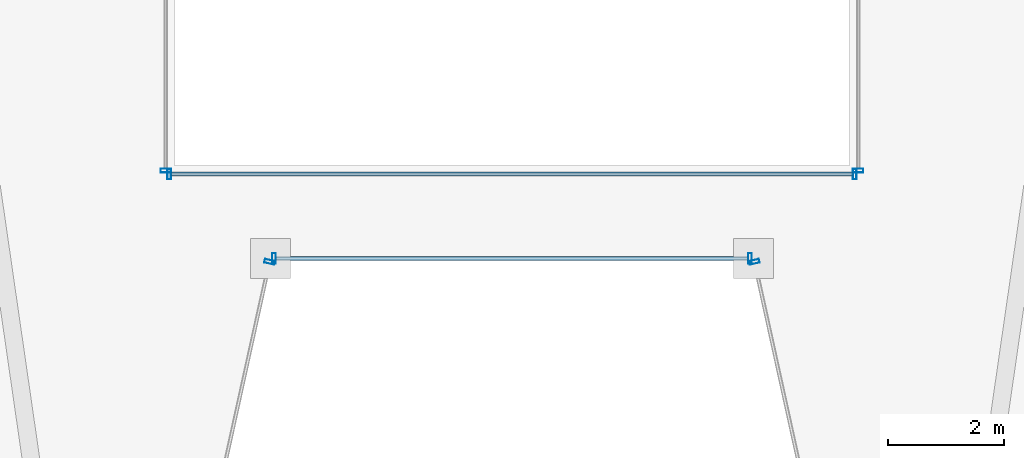
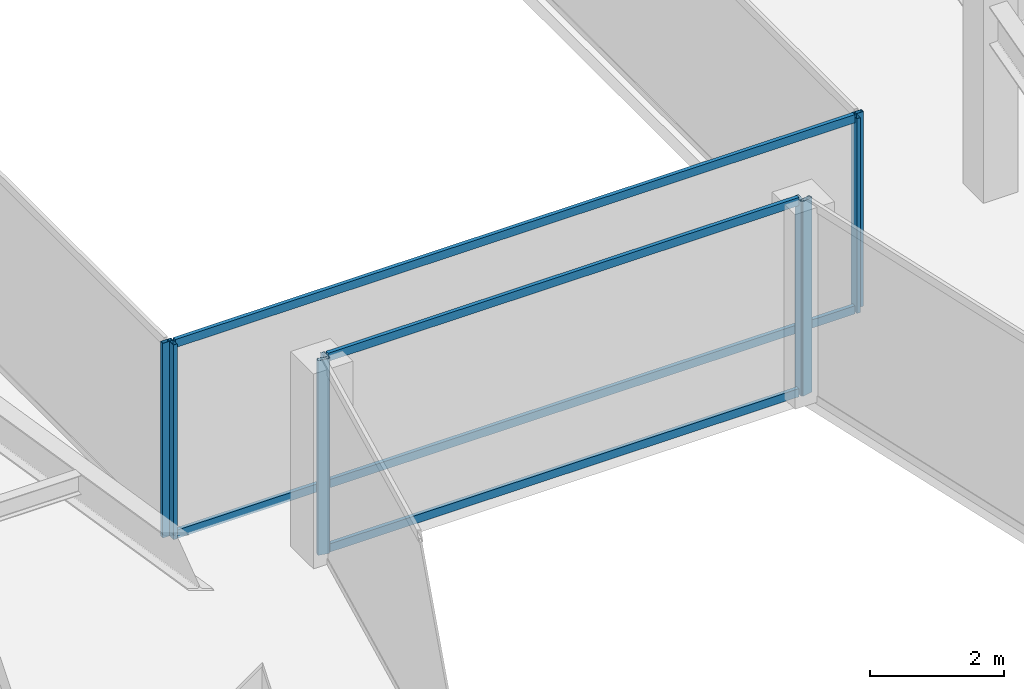
# One storey, part 7 of 37: 12 members, 6 elements without a shape of their own.
"""IFC4 building model written with IfcOpenShell, lengths in metres."""

import ifcopenshell
import ifcopenshell.guid

model = None  # the IFC model being written
_history = None  # IfcOwnerHistory: only IFC2X3 demands one
_inside = {}  # id of a spatial element -> (the spatial element, [elements in it])
_under = {}  # id of a project, library or spatial element -> (it, [spatial elements below it])
_declared = {}  # id of a project -> (the project, [libraries it declares])
_typed = {}  # id of a type object -> (the type object, [elements of that type])
_made_of = {}  # id of a material, layer set ... -> (it, [elements and type objects made of it])


def new_model(schema):
    """Start an empty IFC model of exactly this schema.

    Asked for "IFC4X3", IfcOpenShell would pick the latest addendum, in which some entities
    have other attributes; the version numbers below select the first issue.
    IFC2X3 requires an IfcOwnerHistory on every rooted entity: one is made here for all.
    """
    global model, _history
    if schema == "IFC4X3":
        model = ifcopenshell.file(schema_version=(4, 3, 0, 0))
    else:
        model = ifcopenshell.file(schema=schema)
    _inside.clear()
    _under.clear()
    _declared.clear()
    _typed.clear()
    _made_of.clear()
    _history = None
    if model.schema == "IFC2X3":
        org = make("IfcOrganization", Name="unknown")
        user = make(
            "IfcPersonAndOrganization",
            ThePerson=make("IfcPerson", FamilyName="unknown"),
            TheOrganization=org,
        )
        app = make(
            "IfcApplication",
            ApplicationDeveloper=org,
            Version="unknown",
            ApplicationFullName="unknown",
            ApplicationIdentifier="unknown",
        )
        _history = make(
            "IfcOwnerHistory",
            OwningUser=user,
            OwningApplication=app,
            ChangeAction="ADDED",
            CreationDate=0,
        )
    return model


def make(cls, **values):
    """One entity of the class cls with the attributes given. An attribute that is None is left unset."""
    return model.create_entity(
        cls, **{name: value for name, value in values.items() if value is not None}
    )


def rooted(cls, **values):
    """An entity with a GlobalId (a new one), such as an element, a storey or a relation."""
    return make(cls, GlobalId=ifcopenshell.guid.new(), OwnerHistory=_history, **values)


def si_unit(unit_type, name, prefix=None):
    """IfcSIUnit, for example si_unit("LENGTHUNIT", "METRE", prefix="MILLI")."""
    return make("IfcSIUnit", UnitType=unit_type, Prefix=prefix, Name=name)


def assignment(units):
    """IfcUnitAssignment: the units of a project."""
    return None if units is None else make("IfcUnitAssignment", Units=units)


def point(xyz):
    """IfcCartesianPoint."""
    return None if xyz is None else make("IfcCartesianPoint", Coordinates=xyz)


def direction(xyz):
    """IfcDirection."""
    return None if xyz is None else make("IfcDirection", DirectionRatios=xyz)


def frame(location, z_axis=None, x_axis=None):
    """IfcAxis2Placement3D, a coordinate frame: its origin and axes. An axis left out is left unset."""
    return make(
        "IfcAxis2Placement3D",
        Location=point(location),
        Axis=direction(z_axis),
        RefDirection=direction(x_axis),
    )


def frame_2d(location, x_axis=None):
    """IfcAxis2Placement2D, a coordinate frame in the plane: its origin and x axis."""
    return make(
        "IfcAxis2Placement2D", Location=point(location), RefDirection=direction(x_axis)
    )


def origin():
    """The frame at (0, 0, 0) with its axes left unset."""
    return frame((0.0, 0.0, 0.0))


def origin_2d():
    """The frame at (0, 0) in the plane with its x axis left unset."""
    return frame_2d((0.0, 0.0))


def place(relative_to, where):
    """IfcLocalPlacement: puts the frame where relative to a parent placement (None: the world)."""
    return make(
        "IfcLocalPlacement", PlacementRelTo=relative_to, RelativePlacement=where
    )


def context(
    kind, dimensions, precision=None, world=None, true_north=None, identifier=None
):
    """IfcGeometricRepresentationContext, for example the 3D "Model" context."""
    return make(
        "IfcGeometricRepresentationContext",
        ContextIdentifier=identifier,
        ContextType=kind,
        CoordinateSpaceDimension=dimensions,
        Precision=precision,
        WorldCoordinateSystem=world,
        TrueNorth=true_north,
    )


def subcontext(parent, identifier, kind, view, scale=None):
    """IfcGeometricRepresentationSubContext, for example "Body" below "Model"."""
    return make(
        "IfcGeometricRepresentationSubContext",
        ContextIdentifier=identifier,
        ContextType=kind,
        ParentContext=parent,
        TargetScale=scale,
        TargetView=view,
    )


def project(units=None, contexts=None):
    """IfcProject with its units and contexts."""
    return rooted(
        "IfcProject",
        Name="project",
        RepresentationContexts=contexts,
        UnitsInContext=assignment(units),
    )


def spatial(cls, under=None, at=None, **own):
    """A site, building, storey or space (cls), placed at a placement, below another one or the project."""
    s = rooted(cls, ObjectPlacement=at, **own)
    if under is not None:
        _under.setdefault(under.id(), (under, []))[1].append(s)
    return s


def profile(cls, at=None, kind="AREA", **sizes):
    """A parametric profile (cls). Its sizes go by their IFC names, for example OverallWidth=200.0."""
    return make(cls, ProfileType=kind, Position=at, **sizes)


def hollow_rectangle(**sizes):
    """IfcRectangleHollowProfileDef."""
    return profile("IfcRectangleHollowProfileDef", **sizes)


def extrude(swept, where, along, depth):
    """IfcExtrudedAreaSolid: the profile swept, set in the frame where, extruded along a direction by depth."""
    return make(
        "IfcExtrudedAreaSolid",
        SweptArea=swept,
        Position=where,
        ExtrudedDirection=direction(along),
        Depth=depth,
    )


def shape(context_of_items, identifier, shape_type, items):
    """IfcShapeRepresentation: the items that make up one representation, for example the "Body"."""
    return make(
        "IfcShapeRepresentation",
        ContextOfItems=context_of_items,
        RepresentationIdentifier=identifier,
        RepresentationType=shape_type,
        Items=items,
    )


def material(Name=None, Category=None):
    """IfcMaterial."""
    return make("IfcMaterial", Name=Name, Category=Category)


def material_profile(
    of_material, cross_section, Name=None, Category=None, Priority=None
):
    """IfcMaterialProfile: a cross section and its material."""
    return make(
        "IfcMaterialProfile",
        Name=Name,
        Material=of_material,
        Profile=cross_section,
        Priority=Priority,
        Category=Category,
    )


def profile_set(profiles, Name=None, composite=None):
    """IfcMaterialProfileSet."""
    return make(
        "IfcMaterialProfileSet",
        Name=Name,
        MaterialProfiles=profiles,
        CompositeProfile=composite,
    )


def made_of(thing, what):
    """Note that an element or type object is made of a material, layer set ...; save() writes the relation."""
    if what is not None:
        _made_of.setdefault(what.id(), (what, []))[1].append(thing)
    return thing


def type_object(cls, material=None, **own):
    """A type object (cls), such as IfcWallType, which elements share."""
    return made_of(rooted(cls, **own), material)


def element(
    cls,
    number,
    at=None,
    inside=None,
    cuts=None,
    type_object=None,
    material=None,
    context=None,
    identifier="Body",
    shape_type=None,
    held_by="IfcProductDefinitionShape",
    body=None,
    shapes=None,
    **own,
):
    """One element of the class cls, such as IfcWall. Its Tag is "e" and its number.

    at: its placement. inside: the storey or other place that contains it. cuts: it is an
    opening in that element (IfcRelVoidsElement). A single representation is given by context,
    identifier, shape_type and body (its items); several are given by shapes. held_by: the class
    of the entity that holds the representations. save() writes the other relations.
    """
    e = rooted(cls, Tag="e%d" % number, ObjectPlacement=at, **own)
    if body is not None:
        shapes = [shape(context, identifier, shape_type, body)]
    if shapes is not None:
        e.Representation = make(held_by, Representations=shapes)
    if inside is not None:
        _inside.setdefault(inside.id(), (inside, []))[1].append(e)
    if cuts is not None:
        rooted(
            "IfcRelVoidsElement", RelatingBuildingElement=cuts, RelatedOpeningElement=e
        )
    if type_object is not None:
        _typed.setdefault(type_object.id(), (type_object, []))[1].append(e)
    return made_of(e, material)


def aggregate(whole, parts):
    """IfcRelAggregates: a whole, such as a stair, and the parts it consists of."""
    return rooted("IfcRelAggregates", RelatingObject=whole, RelatedObjects=parts)


def save(model, path):
    """Write the relations noted so far, then the file.

    IfcRelAggregates (storeys below a building ...), IfcRelContainedInSpatialStructure (elements
    in a storey), IfcRelDefinesByType, IfcRelAssociatesMaterial and IfcRelDeclares: one each for
    every whole, place, type object, material and project.
    """
    for whole, parts in _under.values():
        aggregate(whole, parts)
    for where, things in _inside.values():
        rooted(
            "IfcRelContainedInSpatialStructure",
            RelatedElements=things,
            RelatingStructure=where,
        )
    for kind, things in _typed.values():
        rooted("IfcRelDefinesByType", RelatedObjects=things, RelatingType=kind)
    for what, things in _made_of.values():
        rooted("IfcRelAssociatesMaterial", RelatedObjects=things, RelatingMaterial=what)
    for by, libraries in _declared.values():
        rooted("IfcRelDeclares", RelatingContext=by, RelatedDefinitions=libraries)
    model.write(path)


model = new_model("IFC4")

# Units and contexts
model_context = context("Model", 3, precision=1e-05, world=origin(), true_north=direction((0.0, 1.0)))
body_context = subcontext(model_context, "Body", "Model", "MODEL_VIEW")
ifc_project = project(units=[si_unit("LENGTHUNIT", "METRE"), si_unit("AREAUNIT", "SQUARE_METRE"), si_unit("VOLUMEUNIT", "CUBIC_METRE"), si_unit("PLANEANGLEUNIT", "RADIAN"), si_unit("MASSUNIT", "GRAM", prefix="KILO")], contexts=[model_context])

# Site, building, storey
site_placement = place(None, origin())
site = spatial("IfcSite", under=ifc_project, at=site_placement, CompositionType="ELEMENT")
building_placement = place(site_placement, origin())
building = spatial("IfcBuilding", under=site, at=building_placement, Name="Saevonmaru Cultural Tower", CompositionType="ELEMENT")
storey_placement = place(building_placement, frame((0.0, 0.0, 160.0)))
storey = spatial("IfcBuildingStorey", under=building, at=storey_placement, Name="L35", CompositionType="ELEMENT", Elevation=160.0)

# Curtain wall, member
ifc_material = material(Name="Satin Bronze Anodised Aluminium", Category="aluminium")
curtain_wall_type_1 = type_object("IfcCurtainWallType", Name="CW-TYP-A", PredefinedType="NOTDEFINED", material=ifc_material)
curtain_wall_1_placement = place(storey_placement, origin())
curtain_wall_1 = element("IfcCurtainWall", 1, at=curtain_wall_1_placement, inside=storey, type_object=curtain_wall_type_1, Name="L35 Unitised Curtain Wall E3", PredefinedType="NOTDEFINED")
ifc_material_profile_1 = material_profile(ifc_material, hollow_rectangle(XDim=0.06494140625, YDim=0.179931640625, WallThickness=0.00390625, at=origin_2d()), Name="ALU-MULL-180x65x4")
ifc_profile_set_1 = profile_set([ifc_material_profile_1], Name="Satin Bronze Anodised Aluminium")
member_type_1 = type_object("IfcMemberType", Name="ML-CW-180x65", PredefinedType="MULLION", material=ifc_profile_set_1)
member_1_placement = place(storey_placement, frame((25.8359375, 20.741455078125, 0.0), z_axis=(0.0, 0.0, 1.0), x_axis=(0.215413319953, 0.976522965212, 0.0)))
member_1 = element("IfcMember", 2, at=member_1_placement, type_object=member_type_1, Name="CW-TW-L35-E3 mullion 2", PredefinedType="MULLION", context=body_context, shape_type="SweptSolid", body=[
    extrude(hollow_rectangle(XDim=0.06494140625, YDim=0.179931640625, WallThickness=0.00390625, at=origin_2d()), origin(), (0.0, 0.0, 1.0), 3.550048828125),
])
aggregate(curtain_wall_1, [member_1])

# Curtain wall, members
curtain_wall_2_placement = place(storey_placement, origin())
curtain_wall_2 = element("IfcCurtainWall", 3, at=curtain_wall_2_placement, inside=storey, type_object=curtain_wall_type_1, Name="L35 Unitised Curtain Wall E4", PredefinedType="NOTDEFINED")
member_2_placement = place(storey_placement, frame((25.908935546875, 20.800048828125, 0.0), z_axis=(0.0, 0.0, 1.0), x_axis=(1.0, 0.0, 0.0)))
member_2 = element("IfcMember", 4, at=member_2_placement, type_object=member_type_1, Name="CW-TW-L35-E4 mullion 1", PredefinedType="MULLION", context=body_context, shape_type="SweptSolid", body=[
    extrude(hollow_rectangle(XDim=0.06494140625, YDim=0.179931640625, WallThickness=0.00390625, at=origin_2d()), origin(), (0.0, 0.0, 1.0), 3.550048828125),
])
member_3_placement = place(storey_placement, frame((34.091064453125, 20.800048828125, 0.0), z_axis=(0.0, 0.0, 1.0), x_axis=(1.0, 0.0, 0.0)))
member_3 = element("IfcMember", 5, at=member_3_placement, type_object=member_type_1, Name="CW-TW-L35-E4 mullion 2", PredefinedType="MULLION", context=body_context, shape_type="SweptSolid", body=[
    extrude(hollow_rectangle(XDim=0.06494140625, YDim=0.179931640625, WallThickness=0.00390625, at=origin_2d()), origin(), (0.0, 0.0, 1.0), 3.550048828125),
])

# Curtain wall, member
curtain_wall_3_placement = place(storey_placement, origin())
curtain_wall_3 = element("IfcCurtainWall", 6, at=curtain_wall_3_placement, inside=storey, type_object=curtain_wall_type_1, Name="L35 Unitised Curtain Wall E5", PredefinedType="NOTDEFINED")
member_4_placement = place(storey_placement, frame((34.1640625, 20.741455078125, 0.0), z_axis=(0.0, 0.0, 1.0), x_axis=(0.215413319953, -0.976522965212, 0.0)))
member_4 = element("IfcMember", 7, at=member_4_placement, type_object=member_type_1, Name="CW-TW-L35-E5 mullion 1", PredefinedType="MULLION", context=body_context, shape_type="SweptSolid", body=[
    extrude(hollow_rectangle(XDim=0.06494140625, YDim=0.179931640625, WallThickness=0.00390625, at=origin_2d()), origin(), (0.0, 0.0, 1.0), 3.550048828125),
])
aggregate(curtain_wall_3, [member_4])

# Curtain wall, members
curtain_wall_type_2 = type_object("IfcCurtainWallType", Name="CW-ATR-GLZ", PredefinedType="NOTDEFINED", material=ifc_material)
curtain_wall_4_placement = place(storey_placement, origin())
curtain_wall_4 = element("IfcCurtainWall", 8, at=curtain_wall_4_placement, inside=storey, type_object=curtain_wall_type_2, Name="L35 Vertical Atrium Glazed Smoke Screen 1", PredefinedType="NOTDEFINED")
ifc_material_profile_2 = material_profile(ifc_material, hollow_rectangle(XDim=0.06494140625, YDim=0.179931640625, WallThickness=0.00390625, at=origin_2d()), Name="ALU-MULL-180x65x4")
ifc_profile_set_2 = profile_set([ifc_material_profile_2], Name="Satin Bronze Anodised Aluminium")
member_type_2 = type_object("IfcMemberType", Name="ML-CW-INT-180x65", PredefinedType="MULLION", material=ifc_profile_set_2)
member_5_placement = place(storey_placement, frame((24.110107421875, 22.25, 0.0), z_axis=(0.0, 0.0, 1.0), x_axis=(1.0, 0.0, 0.0)))
member_5 = element("IfcMember", 9, at=member_5_placement, type_object=member_type_2, Name="CW-ATR-L35-1 mullion 1", PredefinedType="MULLION", context=body_context, shape_type="SweptSolid", body=[
    extrude(hollow_rectangle(XDim=0.06494140625, YDim=0.179931640625, WallThickness=0.00390625, at=origin_2d()), origin(), (0.0, 0.0, 1.0), 3.550048828125),
])
member_6_placement = place(storey_placement, frame((35.889892578125, 22.25, 0.0), z_axis=(0.0, 0.0, 1.0), x_axis=(1.0, 0.0, 0.0)))
member_6 = element("IfcMember", 10, at=member_6_placement, type_object=member_type_2, Name="CW-ATR-L35-1 mullion 2", PredefinedType="MULLION", context=body_context, shape_type="SweptSolid", body=[
    extrude(hollow_rectangle(XDim=0.06494140625, YDim=0.179931640625, WallThickness=0.00390625, at=origin_2d()), origin(), (0.0, 0.0, 1.0), 3.550048828125),
])

# Curtain wall, member
curtain_wall_5_placement = place(storey_placement, origin())
curtain_wall_5 = element("IfcCurtainWall", 11, at=curtain_wall_5_placement, inside=storey, type_object=curtain_wall_type_2, Name="L35 Vertical Atrium Glazed Smoke Screen 2", PredefinedType="NOTDEFINED")
member_7_placement = place(storey_placement, frame((35.949951171875, 22.31005859375, 0.0), z_axis=(0.0, 0.0, 1.0), x_axis=(0.0, 1.0, 0.0)))
member_7 = element("IfcMember", 12, at=member_7_placement, type_object=member_type_2, Name="CW-ATR-L35-2 mullion 1", PredefinedType="MULLION", context=body_context, shape_type="SweptSolid", body=[
    extrude(hollow_rectangle(XDim=0.06494140625, YDim=0.179931640625, WallThickness=0.00390625, at=origin_2d()), origin(), (0.0, 0.0, 1.0), 3.550048828125),
])
aggregate(curtain_wall_5, [member_7])

curtain_wall_6_placement = place(storey_placement, origin())
curtain_wall_6 = element("IfcCurtainWall", 13, at=curtain_wall_6_placement, inside=storey, type_object=curtain_wall_type_2, Name="L35 Vertical Atrium Glazed Smoke Screen 4", PredefinedType="NOTDEFINED")
member_8_placement = place(storey_placement, frame((24.050048828125, 22.31005859375, 0.0), z_axis=(0.0, 0.0, 1.0), x_axis=(0.0, -1.0, 0.0)))
member_8 = element("IfcMember", 14, at=member_8_placement, type_object=member_type_2, Name="CW-ATR-L35-4 mullion 2", PredefinedType="MULLION", context=body_context, shape_type="SweptSolid", body=[
    extrude(hollow_rectangle(XDim=0.06494140625, YDim=0.179931640625, WallThickness=0.00390625, at=origin_2d()), origin(), (0.0, 0.0, 1.0), 3.550048828125),
])
aggregate(curtain_wall_6, [member_8])

# Member
ifc_material_profile_3 = material_profile(ifc_material, hollow_rectangle(XDim=0.06494140625, YDim=0.14990234375, WallThickness=0.00390625, at=origin_2d()), Name="ALU-TRAN-150x65x4")
ifc_profile_set_3 = profile_set([ifc_material_profile_3], Name="Satin Bronze Anodised Aluminium")
member_type_3 = type_object("IfcMemberType", Name="TR-CW-150x65", PredefinedType="USERDEFINED", material=ifc_profile_set_3)
member_9_placement = place(storey_placement, frame((25.94140625, 20.800048828125, 0.032470703125), z_axis=(1.0, 0.0, 0.0), x_axis=(0.0, 1.0, 0.0)))
member_9 = element("IfcMember", 15, at=member_9_placement, type_object=member_type_3, Name="CW-TW-L35-E4 transom 1.1", ObjectType="TRANSOM", PredefinedType="USERDEFINED", context=body_context, shape_type="SweptSolid", body=[
    extrude(hollow_rectangle(XDim=0.06494140625, YDim=0.14990234375, WallThickness=0.00390625, at=origin_2d()), origin(), (0.0, 0.0, 1.0), 8.1171875),
])

member_10_placement = place(storey_placement, frame((25.94140625, 20.800048828125, 3.517578125), z_axis=(1.0, 0.0, 0.0), x_axis=(0.0, 1.0, 0.0)))
member_10 = element("IfcMember", 16, at=member_10_placement, type_object=member_type_3, Name="CW-TW-L35-E4 transom 1.2", ObjectType="TRANSOM", PredefinedType="USERDEFINED", context=body_context, shape_type="SweptSolid", body=[
    extrude(hollow_rectangle(XDim=0.06494140625, YDim=0.14990234375, WallThickness=0.00390625, at=origin_2d()), origin(), (0.0, 0.0, 1.0), 8.1171875),
])

aggregate(curtain_wall_2, [member_2, member_3, member_9, member_10])

ifc_material_profile_4 = material_profile(ifc_material, hollow_rectangle(XDim=0.06494140625, YDim=0.14990234375, WallThickness=0.00390625, at=origin_2d()), Name="ALU-TRAN-150x65x4")
ifc_profile_set_4 = profile_set([ifc_material_profile_4], Name="Satin Bronze Anodised Aluminium")
member_type_4 = type_object("IfcMemberType", Name="TR-CW-INT-150x65", PredefinedType="USERDEFINED", material=ifc_profile_set_4)
member_11_placement = place(storey_placement, frame((24.142578125, 22.25, 0.032470703125), z_axis=(1.0, 0.0, 0.0), x_axis=(0.0, 1.0, 0.0)))
member_11 = element("IfcMember", 17, at=member_11_placement, type_object=member_type_4, Name="CW-ATR-L35-1 transom 1.1", ObjectType="TRANSOM", PredefinedType="USERDEFINED", context=body_context, shape_type="SweptSolid", body=[
    extrude(hollow_rectangle(XDim=0.06494140625, YDim=0.14990234375, WallThickness=0.00390625, at=origin_2d()), origin(), (0.0, 0.0, 1.0), 11.71484375),
])

member_12_placement = place(storey_placement, frame((24.142578125, 22.25, 3.517578125), z_axis=(1.0, 0.0, 0.0), x_axis=(0.0, 1.0, 0.0)))
member_12 = element("IfcMember", 18, at=member_12_placement, type_object=member_type_4, Name="CW-ATR-L35-1 transom 1.2", ObjectType="TRANSOM", PredefinedType="USERDEFINED", context=body_context, shape_type="SweptSolid", body=[
    extrude(hollow_rectangle(XDim=0.06494140625, YDim=0.14990234375, WallThickness=0.00390625, at=origin_2d()), origin(), (0.0, 0.0, 1.0), 11.71484375),
])

aggregate(curtain_wall_4, [member_5, member_6, member_11, member_12])

save(model, "model.ifc")
